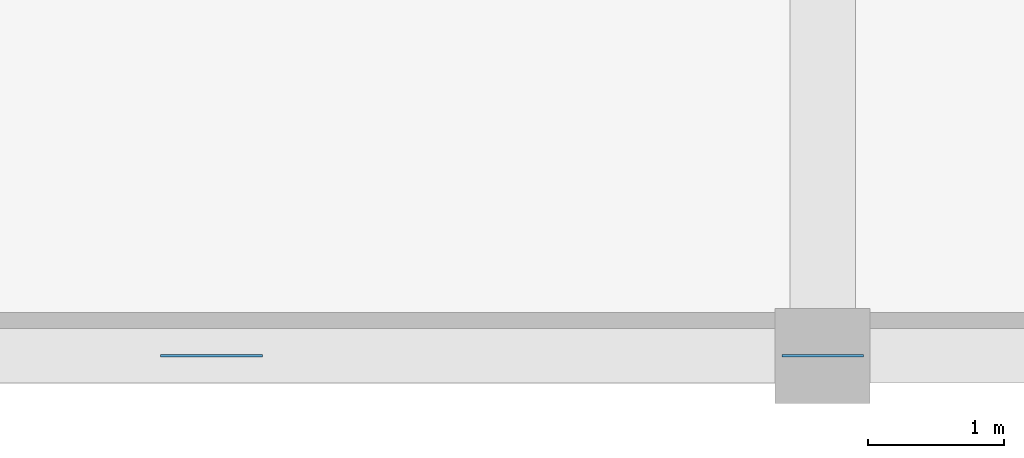
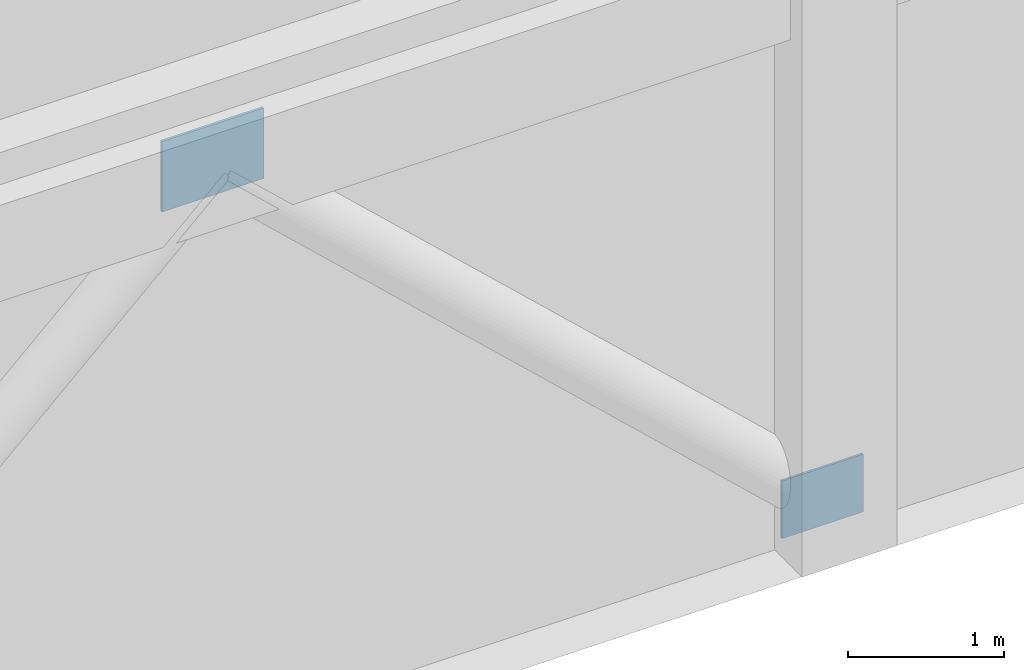
# One storey, part 98 of 128: 2 plates.
"""IFC4 building model written with IfcOpenShell, lengths in metres."""

from ifc_helpers import new_model, si_unit, direction, frame, origin, origin_2d, place, context, subcontext, project, spatial, rectangle, extrude, material, layer, layer_set, type_object, element, save


model = new_model("IFC4")

# Units and contexts
model_context = context("Model", 3, precision=1e-05, world=origin(), true_north=direction((0.0, 1.0)))
body_context = subcontext(model_context, "Body", "Model", "MODEL_VIEW")
ifc_project = project(units=[si_unit("LENGTHUNIT", "METRE"), si_unit("AREAUNIT", "SQUARE_METRE"), si_unit("VOLUMEUNIT", "CUBIC_METRE"), si_unit("PLANEANGLEUNIT", "RADIAN"), si_unit("MASSUNIT", "GRAM", prefix="KILO")], contexts=[model_context])

# Site, building, storey
site_placement = place(None, origin())
site = spatial("IfcSite", under=ifc_project, at=site_placement, CompositionType="ELEMENT")
building_placement = place(site_placement, origin())
building = spatial("IfcBuilding", under=site, at=building_placement, Name="Miravela Opera House", CompositionType="ELEMENT")
storey_placement = place(building_placement, origin())
storey = spatial("IfcBuildingStorey", under=building, at=storey_placement, Name="L00", CompositionType="ELEMENT", Elevation=0.0)

# Plates
ifc_material = material(Name="Structural steel ASTM A572 Gr. 50", Category="steel")
ifc_layer_1 = layer(ifc_material, 0.01806640625)
ifc_layer_set_1 = layer_set([ifc_layer_1])
plate_type_1 = type_object("IfcPlateType", Name="STR-PL-GUS-600X450X18", PredefinedType="USERDEFINED", material=ifc_layer_set_1)
plate_1_placement = place(storey_placement, frame((135.0, 0.0, 0.0751953125), z_axis=(0.0, 0.0, 1.0), x_axis=(1.0, 0.0, 0.0)))
element("IfcPlate", 1, at=plate_1_placement, inside=storey, type_object=plate_type_1, Name="Brace Wall Cast-In Embed Plate 311", ObjectType="GUSSET PLATE", PredefinedType="USERDEFINED", context=body_context, shape_type="SweptSolid", body=[
    extrude(rectangle(XDim=0.60009765625, YDim=0.01806640625, at=origin_2d()), origin(), (0.0, 0.0, 1.0), 0.449951171875),
])
ifc_layer_2 = layer(ifc_material, 0.02001953125)
ifc_layer_set_2 = layer_set([ifc_layer_2])
plate_type_2 = type_object("IfcPlateType", Name="STR-PL-GUS-750X550X20", PredefinedType="USERDEFINED", material=ifc_layer_set_2)
plate_2_placement = place(storey_placement, frame((130.5, 0.0, 4.22509765625), z_axis=(0.0, 0.0, 1.0), x_axis=(1.0, 0.0, 0.0)))
element("IfcPlate", 2, at=plate_2_placement, inside=storey, type_object=plate_type_2, Name="Chevron Brace Apex Gusset Plate 309", ObjectType="GUSSET PLATE", PredefinedType="USERDEFINED", context=body_context, shape_type="SweptSolid", body=[
    extrude(rectangle(XDim=0.75, YDim=0.02001953125, at=origin_2d()), origin(), (0.0, 0.0, 1.0), 0.550048828125),
])

save(model, "model.ifc")
